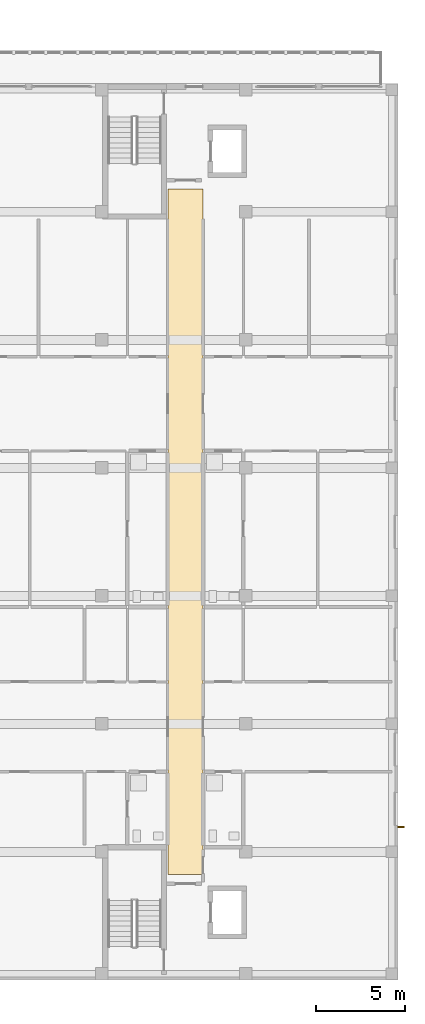
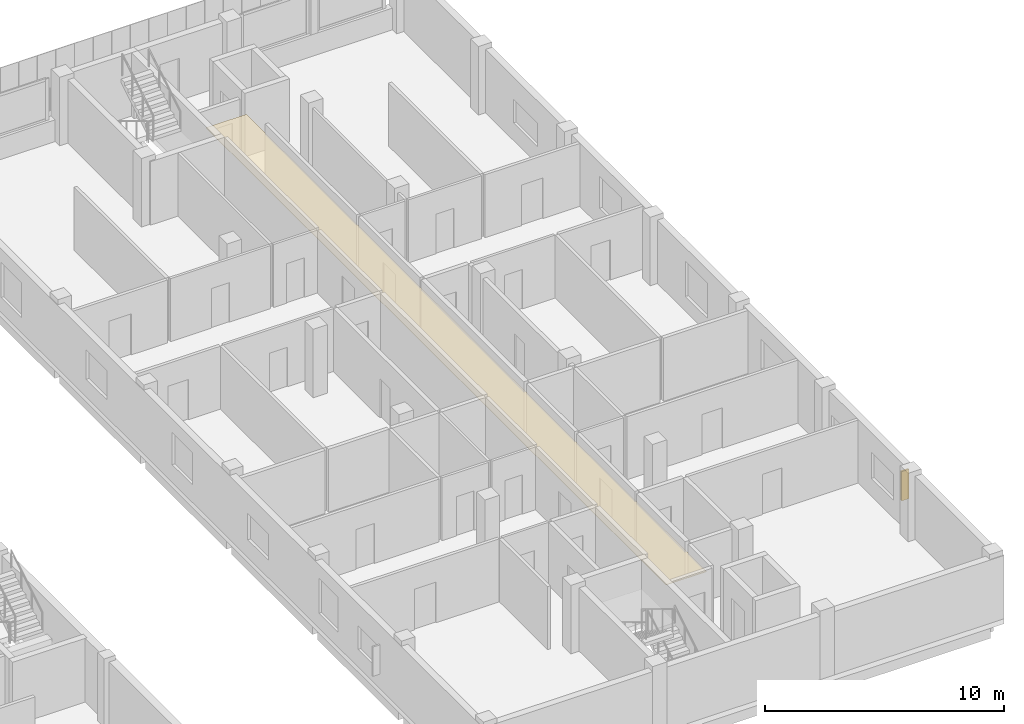
# One storey, part 68 of 73: 1 covering, 1 shading device.
"""IFC4 building model written with IfcOpenShell, lengths in metres."""

from ifc_helpers import new_model, si_unit, derived_unit, direction, frame, origin, origin_2d, place, context, subcontext, project, spatial, polyline, rectangle, outline, extrude, material, layer, layer_set, type_object, element, save


model = new_model("IFC4")

# Units and contexts
model_context = context("Model", 3, precision=1e-05, world=origin(), true_north=direction((0.0, 1.0)))
body_context = subcontext(model_context, "Body", "Model", "MODEL_VIEW")
ifc_project = project(units=[si_unit("LENGTHUNIT", "METRE"), si_unit("AREAUNIT", "SQUARE_METRE"), si_unit("VOLUMEUNIT", "CUBIC_METRE"), si_unit("PLANEANGLEUNIT", "RADIAN"), si_unit("MASSUNIT", "GRAM", prefix="KILO"), derived_unit("THERMALTRANSMITTANCEUNIT", [(si_unit("MASSUNIT", "GRAM", prefix="KILO"), 1), (si_unit("TIMEUNIT", "SECOND"), -3), (si_unit("THERMODYNAMICTEMPERATUREUNIT", "KELVIN"), -1)])], contexts=[model_context])

# Site, building, storey
site_placement = place(None, origin())
site = spatial("IfcSite", under=ifc_project, at=site_placement, CompositionType="ELEMENT")
building_placement = place(site_placement, origin())
building = spatial("IfcBuilding", under=site, at=building_placement, Name="Ochrekiln Boulevard Commons", CompositionType="ELEMENT")
storey_placement = place(building_placement, frame((0.0, 0.0, 8.574951171875)))
storey = spatial("IfcBuildingStorey", under=building, at=storey_placement, Name="L02", CompositionType="ELEMENT", Elevation=8.574951171875)

# Covering
ifc_material_1 = material(Name="Mineral-fibre acoustic ceiling tile")
ifc_layer = layer(ifc_material_1, 0.02490234375)
ifc_layer_set = layer_set([ifc_layer], Name="Mineral-fibre acoustic ceiling tile")
covering_type = type_object("IfcCoveringType", Name="COV-CEIL-AC", PredefinedType="CEILING", material=ifc_layer_set)
covering_placement = place(storey_placement, frame((0.0, 0.0, 2.650146484375)))
element("IfcCovering", 1, at=covering_placement, inside=storey, type_object=covering_type, Name="L02 Acoustic Corridor Ceiling 33", PredefinedType="CEILING", context=body_context, shape_type="SweptSolid", body=[
    extrude(outline(polyline([(159.8701171875, 5.919921875), (161.830078125, 5.919921875), (161.830078125, 44.47998046875), (159.8701171875, 44.47998046875), (159.8701171875, 5.919921875)])), origin(), (0.0, 0.0, 1.0), 0.02490234375),
])

# Shading device
ifc_material_2 = material(Name="Glazed architectural terracotta ASTM C1405", Category="masonry")
shading_device_type = type_object("IfcShadingDeviceType", Name="SHD-FIN-TERRA", PredefinedType="JALOUSIE", material=ifc_material_2)
shading_device_placement = place(storey_placement, frame((172.969970703125, 8.614013671875, 0.824951171875), z_axis=(0.0, 0.0, 1.0), x_axis=(1.0, 0.0, 0.0)))
element("IfcShadingDevice", 2, at=shading_device_placement, inside=storey, type_object=shading_device_type, Name="Terracotta Solar Shading Fin SF-01 (57)", PredefinedType="JALOUSIE", context=body_context, shape_type="SweptSolid", body=[
    extrude(rectangle(XDim=0.35009765625, YDim=0.080078125, at=origin_2d()), origin(), (0.0, 0.0, 1.0), 1.5),
])

save(model, "model.ifc")
